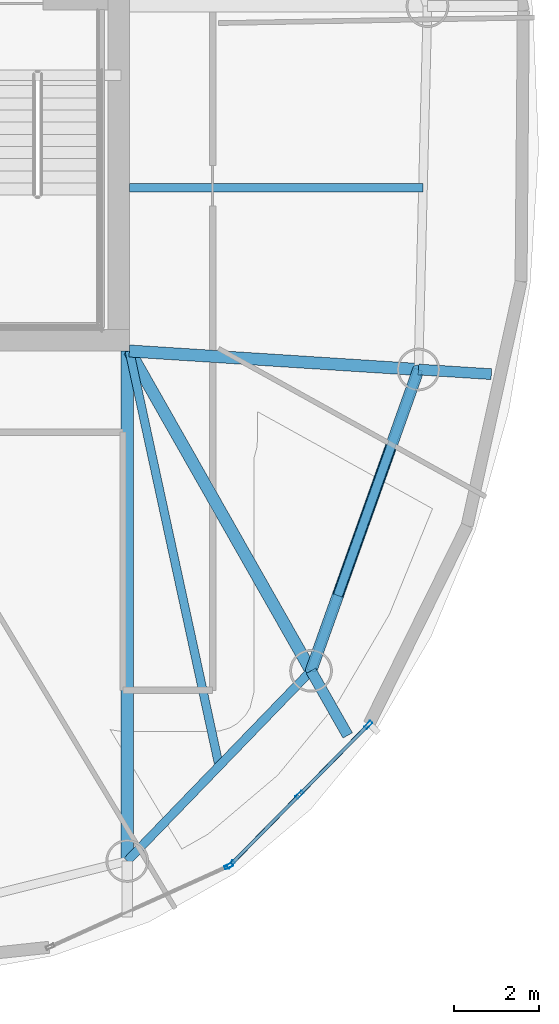
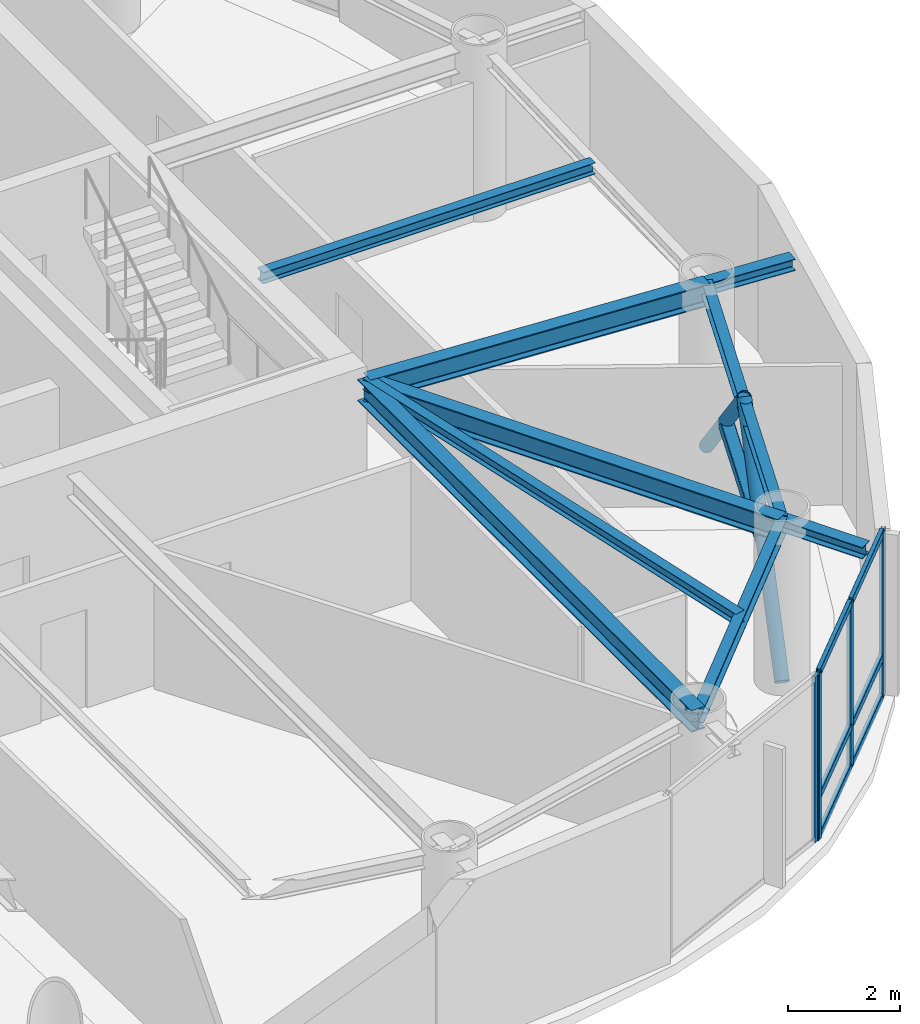
# One storey, part 9 of 22: 13 members, 9 beams, 2 elements without a shape of their own.
"""IFC4 building model written with IfcOpenShell, lengths in metres."""

from ifc_helpers import new_model, si_unit, direction, frame, origin, origin_2d, place, context, subcontext, project, spatial, hollow_rectangle, hollow_circle, i_section, extrude, material, layer, layer_set, material_profile, profile_set, type_object, element, aggregate, save


model = new_model("IFC4")

# Units and contexts
model_context = context("Model", 3, precision=1e-05, world=origin(), true_north=direction((0.0, 1.0)))
body_context = subcontext(model_context, "Body", "Model", "MODEL_VIEW")
ifc_project = project(units=[si_unit("LENGTHUNIT", "METRE"), si_unit("AREAUNIT", "SQUARE_METRE"), si_unit("VOLUMEUNIT", "CUBIC_METRE"), si_unit("PLANEANGLEUNIT", "RADIAN"), si_unit("MASSUNIT", "GRAM", prefix="KILO")], contexts=[model_context])

# Site, building, storey
site_placement = place(None, origin())
site = spatial("IfcSite", under=ifc_project, at=site_placement, CompositionType="ELEMENT")
building_placement = place(site_placement, origin())
building = spatial("IfcBuilding", under=site, at=building_placement, Name="Bramvorn Convention Spire", CompositionType="ELEMENT")
storey_placement = place(building_placement, frame((0.0, 0.0, 253.60009765625)))
storey = spatial("IfcBuildingStorey", under=building, at=storey_placement, Name="L64", CompositionType="ELEMENT", Elevation=253.60009765625)

# Beams
ifc_material_1 = material(Name="Steel CSA G40.21 Grade 350 (350W)", Category="steel")
ifc_material_profile_1 = material_profile(ifc_material_1, i_section(OverallWidth=0.201904296875, OverallDepth=0.2470703125, WebThickness=0.00732421875, FlangeThickness=0.010986328125, FilletRadius=0.011962890625, at=origin_2d()))
ifc_profile_set_1 = profile_set([ifc_material_profile_1], Name="Steel CSA G40.21 Grade 350 (350W) - W250X49")
beam_type_1 = type_object("IfcBeamType", Name="BM-W250X49", PredefinedType="JOIST", material=ifc_profile_set_1)
beam_1_placement = place(storey_placement, frame((49.25, 18.550048828125, 3.50146484375), z_axis=(0.211461445939, -0.977386339623, 0.0), x_axis=(0.977386339623, 0.211461445939, 0.0)))
element("IfcBeam", 1, at=beam_1_placement, inside=storey, type_object=beam_type_1, Name="L64 composite floor joist 01", PredefinedType="JOIST", context=body_context, shape_type="SweptSolid", body=[
    extrude(i_section(OverallWidth=0.201904296875, OverallDepth=0.2470703125, WebThickness=0.00732421875, FlangeThickness=0.010986328125, FilletRadius=0.011962890625, at=origin_2d()), origin(), (0.0, 0.0, 1.0), 9.9462890625),
])
beam_2_placement = place(storey_placement, frame((49.25, 22.373046875, 3.50146484375), z_axis=(1.0, 0.0, 0.0), x_axis=(0.0, 1.0, 0.0)))
element("IfcBeam", 2, at=beam_2_placement, inside=storey, type_object=beam_type_1, Name="L64 composite floor joist 03", PredefinedType="JOIST", context=body_context, shape_type="SweptSolid", body=[
    extrude(i_section(OverallWidth=0.201904296875, OverallDepth=0.2470703125, WebThickness=0.00732421875, FlangeThickness=0.010986328125, FilletRadius=0.011962890625, at=origin_2d()), origin(), (0.0, 0.0, 1.0), 6.879150390625),
])
ifc_material_profile_2 = material_profile(ifc_material_1, i_section(OverallWidth=0.25390625, OverallDepth=0.2529296875, WebThickness=0.008544921875, FlangeThickness=0.01416015625, FilletRadius=0.011962890625, at=origin_2d()))
ifc_profile_set_2 = profile_set([ifc_material_profile_2], Name="Steel CSA G40.21 Grade 350 (350W) - W250X73")
beam_type_2 = type_object("IfcBeamType", Name="BM-W250X73", PredefinedType="BEAM", material=ifc_profile_set_2)
beam_3_placement = place(storey_placement, frame((53.50634765625, 11.05615234375, 3.498291015625), z_axis=(0.493946740533, -0.869492160699, 0.0), x_axis=(0.869492160699, 0.493946740533, 0.0)))
element("IfcBeam", 3, at=beam_3_placement, inside=storey, type_object=beam_type_2, Name="L64 slab-edge cantilever tip beam MC02", PredefinedType="BEAM", context=body_context, shape_type="SweptSolid", body=[
    extrude(i_section(OverallWidth=0.25390625, OverallDepth=0.2529296875, WebThickness=0.008544921875, FlangeThickness=0.01416015625, FilletRadius=0.011962890625, at=origin_2d()), origin(), (0.0, 0.0, 1.0), 1.740234375),
])
beam_4_placement = place(storey_placement, frame((56.023681640625, 18.116455078125, 3.498291015625), z_axis=(0.997955941806, -0.063905697817, 0.0), x_axis=(0.063905697817, 0.997955941806, 0.0)))
element("IfcBeam", 4, at=beam_4_placement, inside=storey, type_object=beam_type_2, Name="L64 slab-edge cantilever tip beam MC03", PredefinedType="BEAM", context=body_context, shape_type="SweptSolid", body=[
    extrude(i_section(OverallWidth=0.25390625, OverallDepth=0.2529296875, WebThickness=0.008544921875, FlangeThickness=0.01416015625, FilletRadius=0.011962890625, at=origin_2d()), origin(), (0.0, 0.0, 1.0), 1.71142578125),
])
ifc_material_profile_3 = material_profile(ifc_material_1, i_section(OverallWidth=0.202880859375, OverallDepth=0.302978515625, WebThickness=0.007568359375, FlangeThickness=0.01318359375, FilletRadius=0.013916015625, at=origin_2d()))
ifc_profile_set_3 = profile_set([ifc_material_profile_3], Name="Steel CSA G40.21 Grade 350 (350W) - W310X60")
beam_type_3 = type_object("IfcBeamType", Name="BM-W310X60", PredefinedType="JOIST", material=ifc_profile_set_3)
beam_5_placement = place(storey_placement, frame((49.199951171875, 6.60107421875, 3.473388671875), z_axis=(0.695007159797, 0.719002814898, 0.0), x_axis=(-0.719002814898, 0.695007159797, 0.0)))
element("IfcBeam", 5, at=beam_5_placement, inside=storey, type_object=beam_type_3, Name="L64 mega-column ring beam 01", PredefinedType="JOIST", context=body_context, shape_type="SweptSolid", body=[
    extrude(i_section(OverallWidth=0.202880859375, OverallDepth=0.302978515625, WebThickness=0.007568359375, FlangeThickness=0.01318359375, FilletRadius=0.013916015625, at=origin_2d()), origin(), (0.0, 0.0, 1.0), 6.1962890625),
])
beam_6_placement = place(storey_placement, frame((53.50634765625, 11.05615234375, 3.473388671875), z_axis=(0.335839090413, 0.941919373063, 0.0), x_axis=(-0.941919373063, 0.335839090413, 0.0)))
element("IfcBeam", 6, at=beam_6_placement, inside=storey, type_object=beam_type_3, Name="L64 mega-column ring beam 02", PredefinedType="JOIST", context=body_context, shape_type="SweptSolid", body=[
    extrude(i_section(OverallWidth=0.202880859375, OverallDepth=0.302978515625, WebThickness=0.007568359375, FlangeThickness=0.01318359375, FilletRadius=0.013916015625, at=origin_2d()), origin(), (0.0, 0.0, 1.0), 7.49560546875),
])
ifc_material_profile_4 = material_profile(ifc_material_1, i_section(OverallWidth=0.283935546875, OverallDepth=0.47607421875, WebThickness=0.014892578125, FlangeThickness=0.02392578125, FilletRadius=0.01806640625, at=origin_2d()))
ifc_profile_set_4 = profile_set([ifc_material_profile_4], Name="Steel CSA G40.21 Grade 350 (350W) - W460X158")
beam_type_4 = type_object("IfcBeamType", Name="BM-W460X158", PredefinedType="SPANDREL", material=ifc_profile_set_4)
beam_7_placement = place(storey_placement, frame((49.199951171875, 18.550048828125, 3.386962890625), z_axis=(0.0, -1.0, 0.0), x_axis=(1.0, 0.0, 0.0)))
element("IfcBeam", 7, at=beam_7_placement, inside=storey, type_object=beam_type_4, Name="L64 radial floor girder MC01", PredefinedType="SPANDREL", context=body_context, shape_type="SweptSolid", body=[
    extrude(i_section(OverallWidth=0.283935546875, OverallDepth=0.47607421875, WebThickness=0.014892578125, FlangeThickness=0.02392578125, FilletRadius=0.01806640625, at=origin_2d()), origin(), (0.0, 0.0, 1.0), 11.948974609375),
])
beam_8_placement = place(storey_placement, frame((49.25, 18.550048828125, 3.386962890625), z_axis=(0.493873612118, -0.869533699895, 0.0), x_axis=(0.869533699895, 0.493873612118, 0.0)))
element("IfcBeam", 8, at=beam_8_placement, inside=storey, type_object=beam_type_4, Name="L64 radial floor girder MC02", PredefinedType="SPANDREL", context=body_context, shape_type="SweptSolid", body=[
    extrude(i_section(OverallWidth=0.283935546875, OverallDepth=0.47607421875, WebThickness=0.014892578125, FlangeThickness=0.02392578125, FilletRadius=0.01806640625, at=origin_2d()), origin(), (0.0, 0.0, 1.0), 8.618408203125),
])
beam_9_placement = place(storey_placement, frame((49.25, 18.550048828125, 3.386962890625), z_axis=(0.997957536354, -0.063880792379, 0.0), x_axis=(0.063880792379, 0.997957536354, 0.0)))
element("IfcBeam", 9, at=beam_9_placement, inside=storey, type_object=beam_type_4, Name="L64 radial floor girder MC03", PredefinedType="SPANDREL", context=body_context, shape_type="SweptSolid", body=[
    extrude(i_section(OverallWidth=0.283935546875, OverallDepth=0.47607421875, WebThickness=0.014892578125, FlangeThickness=0.02392578125, FilletRadius=0.01806640625, at=origin_2d()), origin(), (0.0, 0.0, 1.0), 6.78759765625),
])

# Curtain wall, members
ifc_material_2 = material(Name="Anodised Bronze Unitised Curtain Wall", Category="aluminium")
ifc_layer = layer(ifc_material_2, 0.179931640625)
ifc_layer_set = layer_set([ifc_layer], Name="Anodised Bronze Unitised Curtain Wall - CW-OFF-FRIT")
curtain_wall_type = type_object("IfcCurtainWallType", Name="CW-OFF-FRIT", PredefinedType="USERDEFINED", material=ifc_layer_set)
curtain_wall_1_placement = place(storey_placement, origin())
curtain_wall_1 = element("IfcCurtainWall", 10, at=curtain_wall_1_placement, inside=storey, type_object=curtain_wall_type, Name="L64 fritted glass curtain wall 01", ObjectType="UNITISED CURTAIN WALL", PredefinedType="USERDEFINED")
ifc_material_3 = material(Name="Anodised Bronze Aluminium 6063-T6", Category="aluminium")
ifc_material_profile_5 = material_profile(ifc_material_3, hollow_rectangle(XDim=0.080078125, YDim=0.199951171875, WallThickness=0.00390625, InnerFilletRadius=0.0009765625, OuterFilletRadius=0.00390625, at=origin_2d()))
ifc_profile_set_5 = profile_set([ifc_material_profile_5], Name="Anodised Bronze Aluminium 6063-T6 - CWM80X200")
member_type_1 = type_object("IfcMemberType", Name="CW-MUL-180", PredefinedType="MULLION", material=ifc_profile_set_5)
member_1_placement = place(storey_placement, frame((54.847412109375, 9.789306640625, 0.0), z_axis=(0.0, 0.0, 1.0), x_axis=(0.712589972725, -0.701580737172, 0.0)))
member_1 = element("IfcMember", 11, at=member_1_placement, type_object=member_type_1, Name="CW3 mullion 1", PredefinedType="MULLION", context=body_context, shape_type="SweptSolid", body=[
    extrude(hollow_rectangle(XDim=0.080078125, YDim=0.199951171875, WallThickness=0.00390625, InnerFilletRadius=0.0009765625, OuterFilletRadius=0.00390625, at=origin_2d()), origin(), (0.0, 0.0, 1.0), 3.625),
])
member_2_placement = place(storey_placement, frame((53.237060546875, 8.15380859375, 0.0), z_axis=(0.0, 0.0, 1.0), x_axis=(0.712589972725, -0.701580737172, 0.0)))
member_2 = element("IfcMember", 12, at=member_2_placement, type_object=member_type_1, Name="CW3 mullion 2", PredefinedType="MULLION", context=body_context, shape_type="SweptSolid", body=[
    extrude(hollow_rectangle(XDim=0.080078125, YDim=0.199951171875, WallThickness=0.00390625, InnerFilletRadius=0.0009765625, OuterFilletRadius=0.00390625, at=origin_2d()), origin(), (0.0, 0.0, 1.0), 3.625),
])
member_3_placement = place(storey_placement, frame((51.626708984375, 6.51806640625, 0.0), z_axis=(0.0, 0.0, 1.0), x_axis=(0.712589972725, -0.701580737172, 0.0)))
member_3 = element("IfcMember", 13, at=member_3_placement, type_object=member_type_1, Name="CW3 mullion 3", PredefinedType="MULLION", context=body_context, shape_type="SweptSolid", body=[
    extrude(hollow_rectangle(XDim=0.080078125, YDim=0.199951171875, WallThickness=0.00390625, InnerFilletRadius=0.0009765625, OuterFilletRadius=0.00390625, at=origin_2d()), origin(), (0.0, 0.0, 1.0), 3.625),
])

# Curtain wall, member
curtain_wall_2_placement = place(storey_placement, origin())
curtain_wall_2 = element("IfcCurtainWall", 14, at=curtain_wall_2_placement, inside=storey, type_object=curtain_wall_type, Name="L64 fritted glass curtain wall 24", ObjectType="UNITISED CURTAIN WALL", PredefinedType="USERDEFINED")
member_4_placement = place(storey_placement, frame((51.578369140625, 6.484375, 0.0), z_axis=(0.0, 0.0, 1.0), x_axis=(0.412381632246, -0.911011190593, 0.0)))
member_4 = element("IfcMember", 15, at=member_4_placement, type_object=member_type_1, Name="CW3 mullion 1", PredefinedType="MULLION", context=body_context, shape_type="SweptSolid", body=[
    extrude(hollow_rectangle(XDim=0.080078125, YDim=0.199951171875, WallThickness=0.00390625, InnerFilletRadius=0.0009765625, OuterFilletRadius=0.00390625, at=origin_2d()), origin(), (0.0, 0.0, 1.0), 3.625),
])
aggregate(curtain_wall_2, [member_4])

# Member
ifc_material_profile_6 = material_profile(ifc_material_3, hollow_rectangle(XDim=0.080078125, YDim=0.159912109375, WallThickness=0.00390625, InnerFilletRadius=0.0009765625, OuterFilletRadius=0.00390625, at=origin_2d()))
ifc_profile_set_6 = profile_set([ifc_material_profile_6], Name="Anodised Bronze Aluminium 6063-T6 - CWT80X160")
member_type_2 = type_object("IfcMemberType", Name="CW-TRN-150", PredefinedType="USERDEFINED", material=ifc_profile_set_6)
member_5_placement = place(storey_placement, frame((54.826416015625, 9.76806640625, 0.02978515625), z_axis=(-0.701624728862, -0.712546658016, 0.0), x_axis=(0.712546658016, -0.701624728862, 0.0)))
member_5 = element("IfcMember", 16, at=member_5_placement, type_object=member_type_2, Name="CW3 transom 1.1", ObjectType="TRANSOM", PredefinedType="USERDEFINED", context=body_context, shape_type="SweptSolid", body=[
    extrude(hollow_rectangle(XDim=0.080078125, YDim=0.159912109375, WallThickness=0.00390625, InnerFilletRadius=0.0009765625, OuterFilletRadius=0.00390625, at=origin_2d()), origin(), (0.0, 0.0, 1.0), 2.2353515625),
])

member_6_placement = place(storey_placement, frame((54.826416015625, 9.76806640625, 0.89990234375), z_axis=(-0.701624728862, -0.712546658016, 0.0), x_axis=(0.712546658016, -0.701624728862, 0.0)))
member_6 = element("IfcMember", 17, at=member_6_placement, type_object=member_type_2, Name="CW3 transom 1.2", ObjectType="TRANSOM", PredefinedType="USERDEFINED", context=body_context, shape_type="SweptSolid", body=[
    extrude(hollow_rectangle(XDim=0.080078125, YDim=0.159912109375, WallThickness=0.00390625, InnerFilletRadius=0.0009765625, OuterFilletRadius=0.00390625, at=origin_2d()), origin(), (0.0, 0.0, 1.0), 2.2353515625),
])

member_7_placement = place(storey_placement, frame((54.826416015625, 9.76806640625, 3.594970703125), z_axis=(-0.701624728862, -0.712546658016, 0.0), x_axis=(0.712546658016, -0.701624728862, 0.0)))
member_7 = element("IfcMember", 18, at=member_7_placement, type_object=member_type_2, Name="CW3 transom 1.3", ObjectType="TRANSOM", PredefinedType="USERDEFINED", context=body_context, shape_type="SweptSolid", body=[
    extrude(hollow_rectangle(XDim=0.080078125, YDim=0.159912109375, WallThickness=0.00390625, InnerFilletRadius=0.0009765625, OuterFilletRadius=0.00390625, at=origin_2d()), origin(), (0.0, 0.0, 1.0), 2.2353515625),
])

member_8_placement = place(storey_placement, frame((53.216064453125, 8.13232421875, 0.02978515625), z_axis=(-0.701624728862, -0.712546658016, 0.0), x_axis=(0.712546658016, -0.701624728862, 0.0)))
member_8 = element("IfcMember", 19, at=member_8_placement, type_object=member_type_2, Name="CW3 transom 2.1", ObjectType="TRANSOM", PredefinedType="USERDEFINED", context=body_context, shape_type="SweptSolid", body=[
    extrude(hollow_rectangle(XDim=0.080078125, YDim=0.159912109375, WallThickness=0.00390625, InnerFilletRadius=0.0009765625, OuterFilletRadius=0.00390625, at=origin_2d()), origin(), (0.0, 0.0, 1.0), 2.2353515625),
])

member_9_placement = place(storey_placement, frame((53.216064453125, 8.13232421875, 0.89990234375), z_axis=(-0.701624728862, -0.712546658016, 0.0), x_axis=(0.712546658016, -0.701624728862, 0.0)))
member_9 = element("IfcMember", 20, at=member_9_placement, type_object=member_type_2, Name="CW3 transom 2.2", ObjectType="TRANSOM", PredefinedType="USERDEFINED", context=body_context, shape_type="SweptSolid", body=[
    extrude(hollow_rectangle(XDim=0.080078125, YDim=0.159912109375, WallThickness=0.00390625, InnerFilletRadius=0.0009765625, OuterFilletRadius=0.00390625, at=origin_2d()), origin(), (0.0, 0.0, 1.0), 2.2353515625),
])

member_10_placement = place(storey_placement, frame((53.216064453125, 8.13232421875, 3.594970703125), z_axis=(-0.701624728862, -0.712546658016, 0.0), x_axis=(0.712546658016, -0.701624728862, 0.0)))
member_10 = element("IfcMember", 21, at=member_10_placement, type_object=member_type_2, Name="CW3 transom 2.3", ObjectType="TRANSOM", PredefinedType="USERDEFINED", context=body_context, shape_type="SweptSolid", body=[
    extrude(hollow_rectangle(XDim=0.080078125, YDim=0.159912109375, WallThickness=0.00390625, InnerFilletRadius=0.0009765625, OuterFilletRadius=0.00390625, at=origin_2d()), origin(), (0.0, 0.0, 1.0), 2.2353515625),
])

aggregate(curtain_wall_1, [member_1, member_2, member_3, member_5, member_6, member_7, member_8, member_9, member_10])

# Members
ifc_material_profile_7 = material_profile(ifc_material_1, hollow_circle(Radius=0.136474609375, WallThickness=0.0126953125, at=origin_2d()))
ifc_profile_set_7 = profile_set([ifc_material_profile_7], Name="Steel CSA G40.21 Grade 350 (350W) - CHS273X13")
member_type_3 = type_object("IfcMemberType", Name="MBR-CHS273X13", PredefinedType="BRACE", material=ifc_profile_set_7)
member_11_placement = place(storey_placement, frame((53.50634765625, 11.05615234375, 0.0), z_axis=(0.241415019829, 0.677048329465, 0.695215324751), x_axis=(-0.941912743486, 0.335857683639, 0.0)))
element("IfcMember", 22, at=member_11_placement, inside=storey, type_object=member_type_3, Name="L64 perimeter Gothic lancet brace 2A", PredefinedType="BRACE", context=body_context, shape_type="SweptSolid", body=[
    extrude(hollow_circle(Radius=0.136474609375, WallThickness=0.0126953125, at=origin_2d()), origin(), (0.0, 0.0, 1.0), 5.214111328125),
])
member_12_placement = place(storey_placement, frame((56.023681640625, 18.116455078125, 0.0), z_axis=(-0.241378577718, -0.677030621771, 0.695245222495), x_axis=(0.941926002824, -0.335820495509, 0.0)))
element("IfcMember", 23, at=member_12_placement, inside=storey, type_object=member_type_3, Name="L64 perimeter Gothic lancet brace 2B", PredefinedType="BRACE", context=body_context, shape_type="SweptSolid", body=[
    extrude(hollow_circle(Radius=0.136474609375, WallThickness=0.0126953125, at=origin_2d()), origin(), (0.0, 0.0, 1.0), 5.2138671875),
])
ifc_material_profile_8 = material_profile(ifc_material_1, hollow_rectangle(XDim=0.25390625, YDim=0.25390625, WallThickness=0.015869140625, InnerFilletRadius=0.015869140625, OuterFilletRadius=0.03173828125, at=origin_2d()))
ifc_profile_set_8 = profile_set([ifc_material_profile_8], Name="Steel CSA G40.21 Grade 350 (350W) - HSS254X254X16")
member_type_4 = type_object("IfcMemberType", Name="MBR-HSS254X254X16", PredefinedType="POST", material=ifc_profile_set_8)
member_13_placement = place(storey_placement, frame((54.1357421875, 12.8212890625, 1.8125), z_axis=(0.335820495509, 0.941926002824, 0.0), x_axis=(-0.941926002824, 0.335820495509, 0.0)))
element("IfcMember", 24, at=member_13_placement, inside=storey, type_object=member_type_4, Name="L64 lancet mid-height collar tie 2", PredefinedType="POST", context=body_context, shape_type="SweptSolid", body=[
    extrude(hollow_rectangle(XDim=0.25390625, YDim=0.25390625, WallThickness=0.015869140625, InnerFilletRadius=0.015869140625, OuterFilletRadius=0.03173828125, at=origin_2d()), origin(), (0.0, 0.0, 1.0), 3.74755859375),
])

save(model, "model.ifc")
